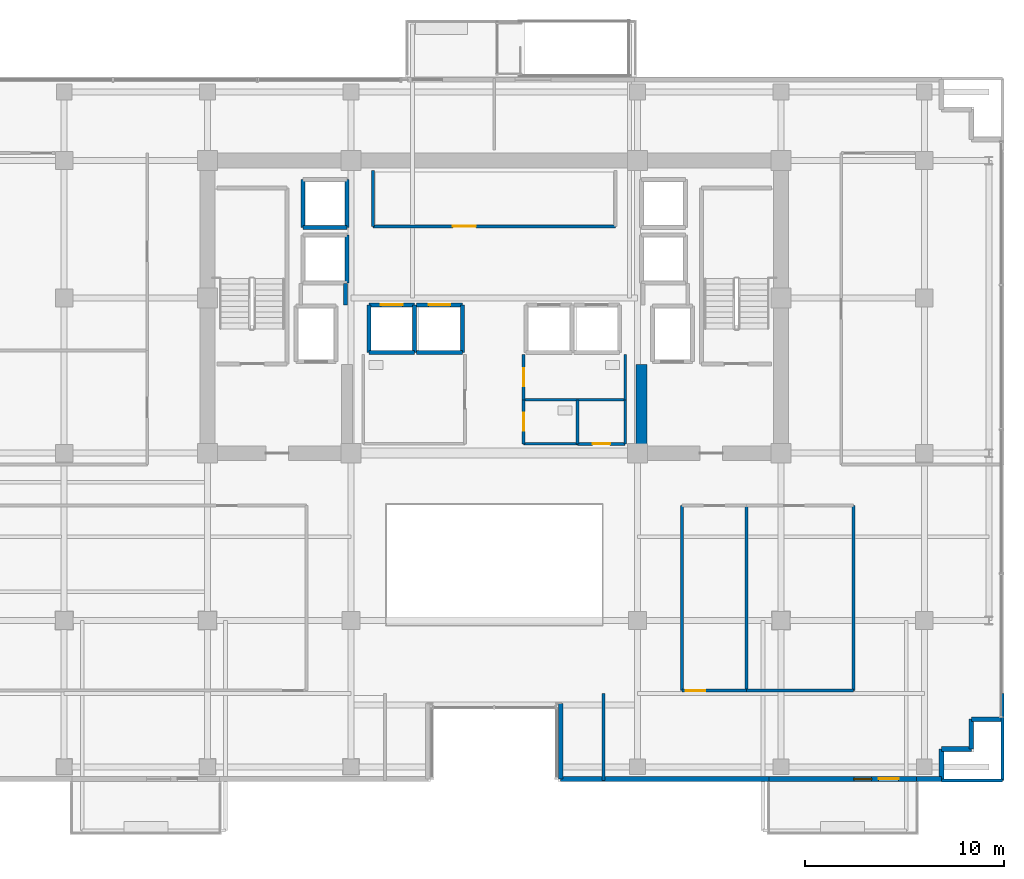
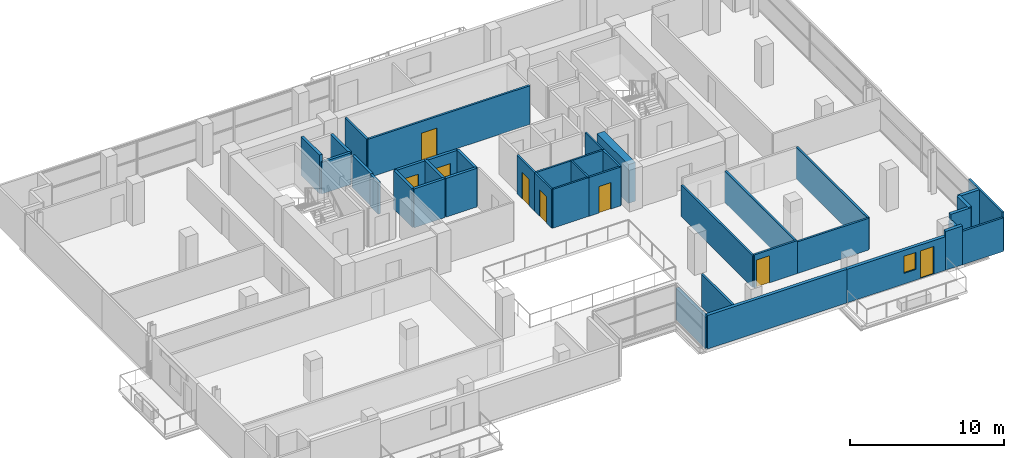
# One storey, part 21 of 28: 39 walls, 8 doors, 1 window, 9 openings.
"""IFC4 building model written with IfcOpenShell, lengths in metres."""

from ifc_helpers import new_model, si_unit, direction, frame, frame_2d, origin, place, context, subcontext, project, spatial, rectangle, extrude, source, transform, mapped, material, layer, layer_set, type_object, element, fill, save


model = new_model("IFC4")

# Units and contexts
model_context = context("Model", 3, precision=1e-05, world=origin(), true_north=direction((0.0, 1.0)))
body_context = subcontext(model_context, "Body", "Model", "MODEL_VIEW")
ifc_project = project(units=[si_unit("LENGTHUNIT", "METRE"), si_unit("AREAUNIT", "SQUARE_METRE"), si_unit("VOLUMEUNIT", "CUBIC_METRE"), si_unit("PLANEANGLEUNIT", "RADIAN"), si_unit("MASSUNIT", "GRAM", prefix="KILO")], contexts=[model_context])

# Site, building, storey
site_placement = place(None, origin())
site = spatial("IfcSite", under=ifc_project, at=site_placement, CompositionType="ELEMENT")
building_placement = place(site_placement, origin())
building = spatial("IfcBuilding", under=site, at=building_placement, Name="Zarnakvel Exchange Tower", CompositionType="ELEMENT")
storey_placement = place(building_placement, frame((0.0, 0.0, 90.10009765625)))
storey = spatial("IfcBuildingStorey", under=building, at=storey_placement, Name="L24", CompositionType="ELEMENT", Elevation=90.10009765625)

# Wall
ifc_material_1 = material(Name="Concrete C60/75", Category="concrete")
ifc_layer_1 = layer(ifc_material_1, 0.550048828125)
ifc_layer_set_1 = layer_set([ifc_layer_1], Name="Concrete C60/75")
wall_type_1 = type_object("IfcWallType", Name="CW-C4", PredefinedType="SHEAR", material=ifc_layer_set_1)
wall_1_placement = place(storey_placement, frame((7.39990234375, -0.824951171875, 0.0), z_axis=(0.0, 0.0, 1.0), x_axis=(0.0, 1.0, 0.0)))
element("IfcWall", 1, at=wall_1_placement, inside=storey, type_object=wall_type_1, Name="L24 Rear Core Shear Wall IE (CW-C4)", PredefinedType="SHEAR", context=body_context, shape_type="SweptSolid", body=[
    extrude(rectangle(XDim=4.074951171875, YDim=0.550048828125, at=frame_2d((2.03759765625, 0.0))), origin(), (0.0, 0.0, 1.0), 3.074951171875),
])

# Wall, openings, door, window
ifc_material_2 = material(Name="Precast concrete C40/50", Category="concrete")
ifc_layer_2 = layer(ifc_material_2, 0.239990234375)
ifc_layer_set_2 = layer_set([ifc_layer_2], Name="Precast concrete C40/50")
wall_type_2 = type_object("IfcWallType", Name="EW-02", PredefinedType="SOLIDWALL", material=ifc_layer_set_2)
wall_2_placement = place(storey_placement, frame((21.199951171875, -17.56005859375, 0.0), z_axis=(0.0, 0.0, 1.0), x_axis=(-1.0, 0.0, 0.0)))
wall_2 = element("IfcWall", 2, at=wall_2_placement, inside=storey, type_object=wall_type_2, Name="L24 Exterior Precast Spandrel Wall EW-BAL-L24-SE (EW-02)", PredefinedType="SOLIDWALL", context=body_context, shape_type="SweptSolid", body=[
    extrude(rectangle(XDim=7.39990234375, YDim=0.239990234375, at=frame_2d((3.699951171875, 0.0))), origin(), (0.0, 0.0, 1.0), 2.664794921875),
])
opening_1_placement = place(wall_2_placement, frame((0.887939453125, 0.0, 0.0)))
opening_1 = element("IfcOpeningElement", 3, at=opening_1_placement, cuts=wall_2, Name="Opening BD-L24-02", PredefinedType="OPENING", context=body_context, shape_type="SweptSolid", body=[
    extrude(rectangle(XDim=1.0, YDim=2.199951171875, at=frame_2d((0.5, 1.10009765625))), frame((0.0, 0.1298828125, 0.0), z_axis=(0.0, -1.0, 0.0), x_axis=(1.0, 0.0, 0.0)), (0.0, 0.0, 1.0), 0.260009765625),
])
opening_2_placement = place(wall_2_placement, frame((2.238037109375, 0.0, 0.85009765625)))
opening_2 = element("IfcOpeningElement", 4, at=opening_2_placement, cuts=wall_2, Name="Opening WN-06", PredefinedType="OPENING", context=body_context, shape_type="SweptSolid", body=[
    extrude(rectangle(XDim=0.89990234375, YDim=1.35009765625, at=frame_2d((0.449951171875, 0.675048828125))), frame((0.0, 0.1298828125, 0.0), z_axis=(0.0, -1.0, 0.0), x_axis=(1.0, 0.0, 0.0)), (0.0, 0.0, 1.0), 0.260009765625),
])
ifc_material_3 = material(Name="Architectural Bronze Anodised Aluminium", Category="aluminium")
door_type_1 = type_object("IfcDoorType", Name="DT-09", OperationType="NOTDEFINED", PredefinedType="DOOR", material=ifc_material_3)
shared_shape_1 = source(origin(), body_context, "Body", "SweptSolid", [
    extrude(rectangle(XDim=1.0, YDim=2.199951171875, at=frame_2d((0.5, 1.10009765625))), frame((0.0, 0.02490234375, 0.0), z_axis=(0.0, -1.0, 0.0), x_axis=(1.0, 0.0, 0.0)), (0.0, 0.0, 1.0), 0.050048828125),
])
door_1_placement = place(opening_1_placement, origin())
door_1 = element("IfcDoor", 5, at=door_1_placement, inside=storey, type_object=door_type_1, Name="L24 Planted Loggia Balcony Door BD-L24-02", OperationType="SINGLE_SWING_LEFT", OverallHeight=2.199951171875, OverallWidth=1.0, PredefinedType="DOOR", context=body_context, shape_type="MappedRepresentation", body=[
    mapped(shared_shape_1, transform((0.0, 0.0, 0.0), x_axis=(1.0, 0.0, 0.0), y_axis=(0.0, 1.0, 0.0), z_axis=(0.0, 0.0, 1.0), scale=1.0)),
])
fill(opening_1, door_1)
ifc_material_4 = material(Name="Double Low-E Laminated Vision Glass", Category="glass")
window_type = type_object("IfcWindowType", Name="WN-06", PartitioningType="SINGLE_PANEL", PredefinedType="WINDOW", material=ifc_material_4)
shared_shape_2 = source(origin(), body_context, "Body", "SweptSolid", [
    extrude(rectangle(XDim=0.89990234375, YDim=1.35009765625, at=frame_2d((0.449951171875, 0.675048828125))), frame((0.0, 0.030029296875, 0.0), z_axis=(0.0, -1.0, 0.0), x_axis=(1.0, 0.0, 0.0)), (0.0, 0.0, 1.0), 0.06005859375),
])
window_placement = place(opening_2_placement, origin())
window = element("IfcWindow", 6, at=window_placement, inside=storey, type_object=window_type, Name="L24 Loggia Daylight Window (WN-06)", OverallHeight=1.35009765625, OverallWidth=0.89990234375, PartitioningType="SINGLE_PANEL", PredefinedType="WINDOW", context=body_context, shape_type="MappedRepresentation", body=[
    mapped(shared_shape_2, transform((0.0, 0.0, 0.0), x_axis=(1.0, 0.0, 0.0), y_axis=(0.0, 1.0, 0.0), z_axis=(0.0, 0.0, 1.0), scale=1.0)),
])
fill(opening_2, window)

# Walls
for number, where, z_axis, x_axis, name in (
    (7, (23.9599609375, -14.56005859375, 0.0), (0.0, 0.0, 1.0), (1.0, 0.0, 0.0), "L24 Exterior Precast Spandrel Wall EWC-L24-13 (EW-02)"),
    (8, (23.9599609375, -16.06005859375, 0.0), (0.0, 0.0, 1.0), (0.0, 1.0, 0.0), "L24 Exterior Precast Spandrel Wall EWC-L24-14 (EW-02)"),
    (9, (22.4599609375, -16.06005859375, 0.0), (0.0, 0.0, 1.0), (1.0, 0.0, 0.0), "L24 Exterior Precast Spandrel Wall EWC-L24-15 (EW-02)"),
):
    element("IfcWall", number, at=place(storey_placement, frame(where, z_axis=z_axis, x_axis=x_axis)), inside=storey, type_object=wall_type_2, Name=name, PredefinedType="SOLIDWALL", context=body_context, shape_type="SweptSolid", body=[
        extrude(rectangle(XDim=1.5, YDim=0.239990234375, at=frame_2d((0.75, 0.0))), origin(), (0.0, 0.0, 1.0), 3.074951171875),
    ])
wall_3_placement = place(storey_placement, frame((22.4599609375, -17.56005859375, 0.0), z_axis=(0.0, 0.0, 1.0), x_axis=(0.0, 1.0, 0.0)))
element("IfcWall", 10, at=wall_3_placement, inside=storey, type_object=wall_type_2, Name="L24 Exterior Precast Spandrel Wall EWC-L24-16 (EW-02)", PredefinedType="SOLIDWALL", context=body_context, shape_type="SweptSolid", body=[
    extrude(rectangle(XDim=1.5, YDim=0.239990234375, at=frame_2d((0.75, 0.0))), origin(), (0.0, 0.0, 1.0), 2.56494140625),
])
wall_4_placement = place(storey_placement, frame((21.199951171875, -17.56005859375, 0.0), z_axis=(0.0, 0.0, 1.0), x_axis=(1.0, 0.0, 0.0)))
element("IfcWall", 11, at=wall_4_placement, inside=storey, type_object=wall_type_2, Name="L24 Exterior Precast Spandrel Wall EWC-L24-17 (EW-02)", PredefinedType="SOLIDWALL", context=body_context, shape_type="SweptSolid", body=[
    extrude(rectangle(XDim=1.260009765625, YDim=0.239990234375, at=frame_2d((0.6298828125, 0.0))), origin(), (0.0, 0.0, 1.0), 3.074951171875),
])
wall_5_placement = place(storey_placement, frame((3.340087890625, -17.56005859375, 0.0), z_axis=(0.0, 0.0, 1.0), x_axis=(1.0, 0.0, 0.0)))
element("IfcWall", 12, at=wall_5_placement, inside=storey, type_object=wall_type_2, Name="L24 Exterior Precast Spandrel Wall EWC-L24-18 (EW-02)", PredefinedType="SOLIDWALL", context=body_context, shape_type="SweptSolid", body=[
    extrude(rectangle(XDim=10.4599609375, YDim=0.239990234375, at=frame_2d((5.22998046875, 0.0))), origin(), (0.0, 0.0, 1.0), 2.664794921875),
])
wall_6_placement = place(storey_placement, frame((3.340087890625, -13.760009765625, 0.0), z_axis=(0.0, 0.0, 1.0), x_axis=(0.0, -1.0, 0.0)))
element("IfcWall", 13, at=wall_6_placement, inside=storey, type_object=wall_type_2, Name="L24 Exterior Precast Spandrel Wall EWC-L24-19 (EW-02)", PredefinedType="SOLIDWALL", context=body_context, shape_type="SweptSolid", body=[
    extrude(rectangle(XDim=3.800048828125, YDim=0.239990234375, at=frame_2d((1.89990234375, 0.0))), origin(), (0.0, 0.0, 1.0), 2.514892578125),
])

# Wall, opening, door
ifc_material_5 = material(Name="Fire-Rated Gypsum Stud Partition", Category="gypsum")
ifc_layer_3 = layer(ifc_material_5, 0.14990234375)
ifc_layer_set_3 = layer_set([ifc_layer_3], Name="Fire-Rated Gypsum Stud Partition")
wall_type_3 = type_object("IfcWallType", Name="PT-01", PredefinedType="PARTITIONING", material=ifc_layer_set_3)
wall_7_placement = place(storey_placement, frame((6.080078125, 10.199951171875, 0.0), z_axis=(0.0, 0.0, 1.0), x_axis=(-1.0, 0.0, 0.0)))
wall_7 = element("IfcWall", 14, at=wall_7_placement, inside=storey, type_object=wall_type_3, Name="L24 Partition Wall PWALL-L24-011 (PT-01)", PredefinedType="PARTITIONING", context=body_context, shape_type="SweptSolid", body=[
    extrude(rectangle(XDim=12.16015625, YDim=0.14990234375, at=frame_2d((6.080078125, 0.0))), origin(), (0.0, 0.0, 1.0), 3.074951171875),
])
opening_3_placement = place(wall_7_placement, frame((7.0048828125, 0.0, 0.0)))
opening_3 = element("IfcOpeningElement", 15, at=opening_3_placement, cuts=wall_7, Name="Opening D-L24-05", PredefinedType="OPENING", context=body_context, shape_type="SweptSolid", body=[
    extrude(rectangle(XDim=1.14990234375, YDim=2.14990234375, at=frame_2d((0.574951171875, 1.074951171875))), frame((0.0, 0.0849609375, 0.0), z_axis=(0.0, -1.0, 0.0), x_axis=(1.0, 0.0, 0.0)), (0.0, 0.0, 1.0), 0.169921875),
])
ifc_material_6 = material(Name="Painted Galvanised Steel S355", Category="steel")
door_type_2 = type_object("IfcDoorType", Name="DT-04", OperationType="NOTDEFINED", PredefinedType="DOOR", material=ifc_material_6)
shared_shape_3 = source(origin(), body_context, "Body", "SweptSolid", [
    extrude(rectangle(XDim=1.14990234375, YDim=2.14990234375, at=frame_2d((0.574951171875, 1.074951171875))), frame((0.0, 0.02490234375, 0.0), z_axis=(0.0, -1.0, 0.0), x_axis=(1.0, 0.0, 0.0)), (0.0, 0.0, 1.0), 0.050048828125),
])
door_2_placement = place(opening_3_placement, origin())
door_2 = element("IfcDoor", 16, at=door_2_placement, inside=storey, type_object=door_type_2, Name="L24 Market Data Archive Suite Door D-L24-05", OperationType="SINGLE_SWING_LEFT", OverallHeight=2.14990234375, OverallWidth=1.14990234375, PredefinedType="DOOR", context=body_context, shape_type="MappedRepresentation", body=[
    mapped(shared_shape_3, transform((0.0, 0.0, 0.0), x_axis=(1.0, 0.0, 0.0), y_axis=(0.0, 1.0, 0.0), z_axis=(0.0, 0.0, 1.0), scale=1.0)),
])
fill(opening_3, door_2)

# Wall
wall_8_placement = place(storey_placement, frame((-6.080078125, 10.199951171875, 0.0), z_axis=(0.0, 0.0, 1.0), x_axis=(0.0, 1.0, 0.0)))
element("IfcWall", 17, at=wall_8_placement, inside=storey, type_object=wall_type_3, Name="L24 Partition Wall PWALL-L24-012 (PT-01)", PredefinedType="PARTITIONING", context=body_context, shape_type="SweptSolid", body=[
    extrude(rectangle(XDim=2.800048828125, YDim=0.14990234375, at=frame_2d((1.39990234375, 0.0))), origin(), (0.0, 0.0, 1.0), 3.074951171875),
])

# Wall, opening, door
wall_9_placement = place(storey_placement, frame((6.580078125, -0.72998046875, 0.0), z_axis=(0.0, 0.0, 1.0), x_axis=(-1.0, 0.0, 0.0)))
wall_9 = element("IfcWall", 18, at=wall_9_placement, inside=storey, type_object=wall_type_3, Name="L24 Partition Wall PWALL-L24-023 (PT-01)", PredefinedType="PARTITIONING", context=body_context, shape_type="SweptSolid", body=[
    extrude(rectangle(XDim=2.400146484375, YDim=0.14990234375, at=frame_2d((1.2001953125, 0.0))), origin(), (0.0, 0.0, 1.0), 3.074951171875),
])
opening_4_placement = place(wall_9_placement, frame((0.760009765625, 0.0, 0.0)))
opening_4 = element("IfcOpeningElement", 19, at=opening_4_placement, cuts=wall_9, Name="Opening D-L24-09", PredefinedType="OPENING", context=body_context, shape_type="SweptSolid", body=[
    extrude(rectangle(XDim=0.8798828125, YDim=2.10009765625, at=frame_2d((0.43994140625, 1.050048828125))), frame((0.0, 0.0849609375, 0.0), z_axis=(0.0, -1.0, 0.0), x_axis=(1.0, 0.0, 0.0)), (0.0, 0.0, 1.0), 0.169921875),
])
door_type_3 = type_object("IfcDoorType", Name="DT-08", OperationType="NOTDEFINED", PredefinedType="DOOR", material=ifc_material_6)
shared_shape_4 = source(origin(), body_context, "Body", "SweptSolid", [
    extrude(rectangle(XDim=0.8798828125, YDim=2.10009765625, at=frame_2d((0.43994140625, 1.050048828125))), frame((0.0, 0.02490234375, 0.0), z_axis=(0.0, -1.0, 0.0), x_axis=(1.0, 0.0, 0.0)), (0.0, 0.0, 1.0), 0.050048828125),
])
door_3_placement = place(opening_4_placement, origin())
door_3 = element("IfcDoor", 20, at=door_3_placement, inside=storey, type_object=door_type_3, Name="L24 Cleaners Store Door D-L24-09", OperationType="SINGLE_SWING_LEFT", OverallHeight=2.10009765625, OverallWidth=0.8798828125, PredefinedType="DOOR", context=body_context, shape_type="MappedRepresentation", body=[
    mapped(shared_shape_4, transform((0.0, 0.0, 0.0), x_axis=(1.0, 0.0, 0.0), y_axis=(0.0, 1.0, 0.0), z_axis=(0.0, 0.0, 1.0), scale=1.0)),
])
fill(opening_4, door_3)

# Wall
wall_10_placement = place(storey_placement, frame((6.580078125, 1.47998046875, 0.0), z_axis=(0.0, 0.0, 1.0), x_axis=(0.0, -1.0, 0.0)))
element("IfcWall", 21, at=wall_10_placement, inside=storey, type_object=wall_type_3, Name="L24 Partition Wall PWALL-L24-024 (PT-01)", PredefinedType="PARTITIONING", context=body_context, shape_type="SweptSolid", body=[
    extrude(rectangle(XDim=2.2099609375, YDim=0.14990234375, at=frame_2d((1.10498046875, 0.0))), origin(), (0.0, 0.0, 1.0), 3.074951171875),
])

# Wall, opening, door
wall_11_placement = place(storey_placement, frame((12.67529296875, -13.1201171875, 0.0), z_axis=(0.0, 0.0, 1.0), x_axis=(-1.0, 0.0, 0.0)))
wall_11 = element("IfcWall", 22, at=wall_11_placement, inside=storey, type_object=wall_type_3, Name="L24 Partition Wall PWALL-L24-032 (PT-01)", PredefinedType="PARTITIONING", context=body_context, shape_type="SweptSolid", body=[
    extrude(rectangle(XDim=3.245361328125, YDim=0.14990234375, at=frame_2d((1.62255859375, 0.0))), origin(), (0.0, 0.0, 1.0), 2.614990234375),
])
opening_5_placement = place(wall_11_placement, frame((2.08544921875, 0.0, 0.0)))
opening_5 = element("IfcOpeningElement", 23, at=opening_5_placement, cuts=wall_11, Name="Opening D-L24-14", PredefinedType="OPENING", context=body_context, shape_type="SweptSolid", body=[
    extrude(rectangle(XDim=0.97998046875, YDim=2.14990234375, at=frame_2d((0.489990234375, 1.074951171875))), frame((0.0, 0.0849609375, 0.0), z_axis=(0.0, -1.0, 0.0), x_axis=(1.0, 0.0, 0.0)), (0.0, 0.0, 1.0), 0.169921875),
])
ifc_material_7 = material(Name="Timber Acoustic Veneer", Category="wood")
door_type_4 = type_object("IfcDoorType", Name="DT-05", OperationType="NOTDEFINED", PredefinedType="DOOR", material=ifc_material_7)
shared_shape_5 = source(origin(), body_context, "Body", "SweptSolid", [
    extrude(rectangle(XDim=0.97998046875, YDim=2.14990234375, at=frame_2d((0.489990234375, 1.074951171875))), frame((0.0, 0.02490234375, 0.0), z_axis=(0.0, -1.0, 0.0), x_axis=(1.0, 0.0, 0.0)), (0.0, 0.0, 1.0), 0.050048828125),
])
door_4_placement = place(opening_5_placement, origin())
door_4 = element("IfcDoor", 24, at=door_4_placement, inside=storey, type_object=door_type_4, Name="L24 Brokerage Workspace Door D-L24-14", OperationType="SINGLE_SWING_RIGHT", OverallHeight=2.14990234375, OverallWidth=0.97998046875, PredefinedType="DOOR", context=body_context, shape_type="MappedRepresentation", body=[
    mapped(shared_shape_5, transform((0.0, 0.0, 0.0), x_axis=(1.0, 0.0, 0.0), y_axis=(0.0, 1.0, 0.0), z_axis=(0.0, 0.0, 1.0), scale=1.0)),
])
fill(opening_5, door_4)

# Walls
for number, where, z_axis, x_axis, name in (
    (25, (9.429931640625, -13.1201171875, 0.0), (0.0, 0.0, 1.0), (0.0, 1.0, 0.0), "L24 Partition Wall PWALL-L24-034 (PT-01)"),
    (26, (12.67529296875, -3.830078125, 0.0), (0.0, 0.0, 1.0), (0.0, -1.0, 0.0), "L24 Partition Wall PWALL-L24-035 (PT-01)"),
):
    element("IfcWall", number, at=place(storey_placement, frame(where, z_axis=z_axis, x_axis=x_axis)), inside=storey, type_object=wall_type_3, Name=name, PredefinedType="PARTITIONING", context=body_context, shape_type="SweptSolid", body=[
        extrude(rectangle(XDim=9.2900390625, YDim=0.14990234375, at=frame_2d((4.64501953125, 0.0))), origin(), (0.0, 0.0, 1.0), 2.514892578125),
    ])
wall_12_placement = place(storey_placement, frame((18.0419921875, -13.1201171875, 0.0), z_axis=(0.0, 0.0, 1.0), x_axis=(-1.0, 0.0, 0.0)))
element("IfcWall", 27, at=wall_12_placement, inside=storey, type_object=wall_type_3, Name="L24 Partition Wall PWALL-L24-036 (PT-01)", PredefinedType="PARTITIONING", context=body_context, shape_type="SweptSolid", body=[
    extrude(rectangle(XDim=5.36669921875, YDim=0.14990234375, at=frame_2d((2.683349609375, 0.0))), origin(), (0.0, 0.0, 1.0), 2.514892578125),
])
wall_13_placement = place(storey_placement, frame((18.0419921875, -3.830078125, 0.0), z_axis=(0.0, 0.0, 1.0), x_axis=(0.0, -1.0, 0.0)))
element("IfcWall", 28, at=wall_13_placement, inside=storey, type_object=wall_type_3, Name="L24 Partition Wall PWALL-L24-038 (PT-01)", PredefinedType="PARTITIONING", context=body_context, shape_type="SweptSolid", body=[
    extrude(rectangle(XDim=9.2900390625, YDim=0.14990234375, at=frame_2d((4.64501953125, 0.0))), origin(), (0.0, 0.0, 1.0), 2.514892578125),
])
wall_14_placement = place(storey_placement, frame((25.530029296875, -17.6298828125, 0.0), z_axis=(0.0, 0.0, 1.0), x_axis=(-1.0, 0.0, 0.0)))
element("IfcWall", 29, at=wall_14_placement, inside=storey, type_object=wall_type_3, Name="L24 Partition Wall PWALL-L24-039 (PT-01)", PredefinedType="PARTITIONING", context=body_context, shape_type="SweptSolid", body=[
    extrude(rectangle(XDim=3.070068359375, YDim=0.14990234375, at=frame_2d((1.53515625, 0.0))), origin(), (0.0, 0.0, 1.0), 2.664794921875),
])
wall_15_placement = place(storey_placement, frame((5.47998046875, -17.6298828125, 0.0), z_axis=(0.0, 0.0, 1.0), x_axis=(0.0, 1.0, 0.0)))
element("IfcWall", 30, at=wall_15_placement, inside=storey, type_object=wall_type_3, Name="L24 Partition Wall PWALL-L24-040 (PT-01)", PredefinedType="PARTITIONING", context=body_context, shape_type="SweptSolid", body=[
    extrude(rectangle(XDim=4.349853515625, YDim=0.14990234375, at=frame_2d((2.1748046875, 0.0))), origin(), (0.0, 0.0, 1.0), 2.56494140625),
])
wall_16_placement = place(storey_placement, frame((25.530029296875, -13.280029296875, 0.0), z_axis=(0.0, 0.0, 1.0), x_axis=(0.0, -1.0, 0.0)))
element("IfcWall", 31, at=wall_16_placement, inside=storey, type_object=wall_type_3, Name="L24 Partition Wall PWALL-L24-041 (PT-01)", PredefinedType="PARTITIONING", context=body_context, shape_type="SweptSolid", body=[
    extrude(rectangle(XDim=4.349853515625, YDim=0.14990234375, at=frame_2d((2.1748046875, 0.0))), origin(), (0.0, 0.0, 1.0), 3.074951171875),
])
ifc_layer_4 = layer(ifc_material_5, 0.179931640625)
ifc_layer_set_4 = layer_set([ifc_layer_4], Name="Fire-Rated Gypsum Stud Partition")
wall_type_4 = type_object("IfcWallType", Name="PT-02", PredefinedType="PARTITIONING", material=ifc_layer_set_4)
wall_17_placement = place(storey_placement, frame((-7.469970703125, 7.330078125, 0.0), z_axis=(0.0, 0.0, 1.0), x_axis=(0.0, -1.0, 0.0)))
element("IfcWall", 32, at=wall_17_placement, inside=storey, type_object=wall_type_4, Name="L24 Partition Wall PWALL-L24-008 (PT-02)", PredefinedType="PARTITIONING", context=body_context, shape_type="SweptSolid", body=[
    extrude(rectangle(XDim=1.090087890625, YDim=0.179931640625, at=frame_2d((0.544921875, 0.0))), origin(), (0.0, 0.0, 1.0), 2.514892578125),
])
ifc_material_8 = material(Name="Moisture-Resistant Tile-Faced Partition", Category="gypsum")
ifc_layer_5 = layer(ifc_material_8, 0.135009765625)
ifc_layer_set_5 = layer_set([ifc_layer_5], Name="Moisture-Resistant Tile-Faced Partition")
wall_type_5 = type_object("IfcWallType", Name="PT-03", PredefinedType="PARTITIONING", material=ifc_layer_set_5)
wall_18_placement = place(storey_placement, frame((6.580078125, 1.47998046875, 0.0), z_axis=(0.0, 0.0, 1.0), x_axis=(-1.0, 0.0, 0.0)))
element("IfcWall", 33, at=wall_18_placement, inside=storey, type_object=wall_type_5, Name="L24 Partition Wall PWALL-L24-017 (PT-03)", PredefinedType="PARTITIONING", context=body_context, shape_type="SweptSolid", body=[
    extrude(rectangle(XDim=5.110107421875, YDim=0.135009765625, at=frame_2d((2.55517578125, 0.0))), origin(), (0.0, 0.0, 1.0), 3.074951171875),
])

# Wall, opening, door
wall_19_placement = place(storey_placement, frame((1.469970703125, 1.47998046875, 0.0), z_axis=(0.0, 0.0, 1.0), x_axis=(0.0, 1.0, 0.0)))
wall_19 = element("IfcWall", 34, at=wall_19_placement, inside=storey, type_object=wall_type_5, Name="L24 Partition Wall PWALL-L24-018 (PT-03)", PredefinedType="PARTITIONING", context=body_context, shape_type="SweptSolid", body=[
    extrude(rectangle(XDim=2.280029296875, YDim=0.135009765625, at=frame_2d((1.14013671875, 0.0))), origin(), (0.0, 0.0, 1.0), 3.074951171875),
])
opening_6_placement = place(wall_19_placement, frame((0.679931640625, 0.0, 0.0)))
opening_6 = element("IfcOpeningElement", 35, at=opening_6_placement, cuts=wall_19, Name="Opening D-L24-07", PredefinedType="OPENING", context=body_context, shape_type="SweptSolid", body=[
    extrude(rectangle(XDim=0.919921875, YDim=2.10009765625, at=frame_2d((0.4599609375, 1.050048828125))), frame((0.0, 0.077392578125, 0.0), z_axis=(0.0, -1.0, 0.0), x_axis=(1.0, 0.0, 0.0)), (0.0, 0.0, 1.0), 0.155029296875),
])
ifc_material_9 = material(Name="Moisture-Resistant Laminate Timber", Category="wood")
door_type_5 = type_object("IfcDoorType", Name="DT-07", OperationType="NOTDEFINED", PredefinedType="DOOR", material=ifc_material_9)
shared_shape_6 = source(origin(), body_context, "Body", "SweptSolid", [
    extrude(rectangle(XDim=0.919921875, YDim=2.10009765625, at=frame_2d((0.4599609375, 1.050048828125))), frame((0.0, 0.02490234375, 0.0), z_axis=(0.0, -1.0, 0.0), x_axis=(1.0, 0.0, 0.0)), (0.0, 0.0, 1.0), 0.050048828125),
])
door_5_placement = place(opening_6_placement, origin())
door_5 = element("IfcDoor", 36, at=door_5_placement, inside=storey, type_object=door_type_5, Name="L24 Female Toilet Door D-L24-07", OperationType="SINGLE_SWING_LEFT", OverallHeight=2.10009765625, OverallWidth=0.919921875, PredefinedType="DOOR", context=body_context, shape_type="MappedRepresentation", body=[
    mapped(shared_shape_6, transform((0.0, 0.0, 0.0), x_axis=(1.0, 0.0, 0.0), y_axis=(0.0, 1.0, 0.0), z_axis=(0.0, 0.0, 1.0), scale=1.0)),
])
fill(opening_6, door_5)

# Walls
wall_20_placement = place(storey_placement, frame((6.580078125, 3.760009765625, 0.0), z_axis=(0.0, 0.0, 1.0), x_axis=(0.0, -1.0, 0.0)))
element("IfcWall", 37, at=wall_20_placement, inside=storey, type_object=wall_type_5, Name="L24 Partition Wall PWALL-L24-019 (PT-03)", PredefinedType="PARTITIONING", context=body_context, shape_type="SweptSolid", body=[
    extrude(rectangle(XDim=2.280029296875, YDim=0.135009765625, at=frame_2d((1.14013671875, 0.0))), origin(), (0.0, 0.0, 1.0), 3.074951171875),
])
wall_21_placement = place(storey_placement, frame((4.179931640625, -0.72998046875, 0.0), z_axis=(0.0, 0.0, 1.0), x_axis=(-1.0, 0.0, 0.0)))
element("IfcWall", 38, at=wall_21_placement, inside=storey, type_object=wall_type_5, Name="L24 Partition Wall PWALL-L24-020 (PT-03)", PredefinedType="PARTITIONING", context=body_context, shape_type="SweptSolid", body=[
    extrude(rectangle(XDim=2.7099609375, YDim=0.135009765625, at=frame_2d((1.35498046875, 0.0))), origin(), (0.0, 0.0, 1.0), 3.074951171875),
])

# Wall, opening, door
wall_22_placement = place(storey_placement, frame((1.469970703125, -0.72998046875, 0.0), z_axis=(0.0, 0.0, 1.0), x_axis=(0.0, 1.0, 0.0)))
wall_22 = element("IfcWall", 39, at=wall_22_placement, inside=storey, type_object=wall_type_5, Name="L24 Partition Wall PWALL-L24-021 (PT-03)", PredefinedType="PARTITIONING", context=body_context, shape_type="SweptSolid", body=[
    extrude(rectangle(XDim=2.2099609375, YDim=0.135009765625, at=frame_2d((1.10498046875, 0.0))), origin(), (0.0, 0.0, 1.0), 3.074951171875),
])
opening_7_placement = place(wall_22_placement, frame((0.64990234375, 0.0, 0.0)))
opening_7 = element("IfcOpeningElement", 40, at=opening_7_placement, cuts=wall_22, Name="Opening D-L24-08", PredefinedType="OPENING", context=body_context, shape_type="SweptSolid", body=[
    extrude(rectangle(XDim=0.919921875, YDim=2.10009765625, at=frame_2d((0.4599609375, 1.050048828125))), frame((0.0, 0.077392578125, 0.0), z_axis=(0.0, -1.0, 0.0), x_axis=(1.0, 0.0, 0.0)), (0.0, 0.0, 1.0), 0.155029296875),
])
door_6_placement = place(opening_7_placement, origin())
door_6 = element("IfcDoor", 41, at=door_6_placement, inside=storey, type_object=door_type_5, Name="L24 Accessible Toilet Door D-L24-08", OperationType="SINGLE_SWING_RIGHT", OverallHeight=2.10009765625, OverallWidth=0.919921875, PredefinedType="DOOR", context=body_context, shape_type="MappedRepresentation", body=[
    mapped(shared_shape_6, transform((0.0, 0.0, 0.0), x_axis=(1.0, 0.0, 0.0), y_axis=(0.0, 1.0, 0.0), z_axis=(0.0, 0.0, 1.0), scale=1.0)),
])
fill(opening_7, door_6)

# Walls
wall_23_placement = place(storey_placement, frame((4.179931640625, 1.47998046875, 0.0), z_axis=(0.0, 0.0, 1.0), x_axis=(0.0, -1.0, 0.0)))
element("IfcWall", 42, at=wall_23_placement, inside=storey, type_object=wall_type_5, Name="L24 Partition Wall PWALL-L24-022 (PT-03)", PredefinedType="PARTITIONING", context=body_context, shape_type="SweptSolid", body=[
    extrude(rectangle(XDim=2.2099609375, YDim=0.135009765625, at=frame_2d((1.10498046875, 0.0))), origin(), (0.0, 0.0, 1.0), 3.074951171875),
])
ifc_material_10 = material(Name="Concrete C40/50", Category="concrete")
ifc_layer_6 = layer(ifc_material_10, 0.199951171875)
ifc_layer_set_6 = layer_set([ifc_layer_6], Name="Concrete C40/50")
wall_type_6 = type_object("IfcWallType", Name="SW-01", PredefinedType="SOLIDWALL", material=ifc_layer_set_6)
wall_24_placement = place(storey_placement, frame((-4.0, 3.85009765625, 0.0), z_axis=(0.0, 0.0, 1.0), x_axis=(-1.0, 0.0, 0.0)))
element("IfcWall", 43, at=wall_24_placement, inside=storey, type_object=wall_type_6, Name="L24 PL-05 Hoistway Wall South", PredefinedType="SOLIDWALL", context=body_context, shape_type="SweptSolid", body=[
    extrude(rectangle(XDim=2.300048828125, YDim=0.199951171875, at=frame_2d((1.14990234375, 0.0))), origin(), (0.0, 0.0, 1.0), 3.074951171875),
])

# Wall, opening, door
wall_25_placement = place(storey_placement, frame((-6.300048828125, 6.25, 0.0), z_axis=(0.0, 0.0, 1.0), x_axis=(1.0, 0.0, 0.0)))
wall_25 = element("IfcWall", 44, at=wall_25_placement, inside=storey, type_object=wall_type_6, Name="L24 PL-05 Hoistway Wall North", PredefinedType="SOLIDWALL", context=body_context, shape_type="SweptSolid", body=[
    extrude(rectangle(XDim=2.300048828125, YDim=0.199951171875, at=frame_2d((1.14990234375, 0.0))), origin(), (0.0, 0.0, 1.0), 3.074951171875),
])
opening_8_placement = place(wall_25_placement, frame((0.60009765625, 0.0, 0.0)))
opening_8 = element("IfcOpeningElement", 45, at=opening_8_placement, cuts=wall_25, Name="Opening LD-PL-05-L24", PredefinedType="OPENING", context=body_context, shape_type="SweptSolid", body=[
    extrude(rectangle(XDim=1.10009765625, YDim=2.199951171875, at=frame_2d((0.550048828125, 1.10009765625))), frame((0.0, 0.10986328125, 0.0), z_axis=(0.0, -1.0, 0.0), x_axis=(1.0, 0.0, 0.0)), (0.0, 0.0, 1.0), 0.219970703125),
])
door_type_6 = type_object("IfcDoorType", Name="LDT-02", OperationType="NOTDEFINED", PredefinedType="DOOR", material=ifc_material_3)
shared_shape_7 = source(origin(), body_context, "Body", "SweptSolid", [
    extrude(rectangle(XDim=1.10009765625, YDim=2.199951171875, at=frame_2d((0.550048828125, 1.10009765625))), frame((0.0, 0.02490234375, 0.0), z_axis=(0.0, -1.0, 0.0), x_axis=(1.0, 0.0, 0.0)), (0.0, 0.0, 1.0), 0.050048828125),
])
door_7_placement = place(opening_8_placement, origin())
door_7 = element("IfcDoor", 46, at=door_7_placement, inside=storey, type_object=door_type_6, Name="L24 PL-05 Lift Landing Door LD-PL-05-L24", OperationType="DOUBLE_DOOR_SLIDING", OverallHeight=2.199951171875, OverallWidth=1.10009765625, PredefinedType="DOOR", context=body_context, shape_type="MappedRepresentation", body=[
    mapped(shared_shape_7, transform((0.0, 0.0, 0.0), x_axis=(1.0, 0.0, 0.0), y_axis=(0.0, 1.0, 0.0), z_axis=(0.0, 0.0, 1.0), scale=1.0)),
])
fill(opening_8, door_7)

# Walls
for number, where, z_axis, x_axis, name in (
    (47, (-6.300048828125, 3.85009765625, 0.0), (0.0, 0.0, 1.0), (0.0, 1.0, 0.0), "L24 PL-05 Hoistway Wall West"),
    (48, (-4.0, 6.25, 0.0), (0.0, 0.0, 1.0), (0.0, -1.0, 0.0), "L24 PL-05 Hoistway Wall East"),
):
    element("IfcWall", number, at=place(storey_placement, frame(where, z_axis=z_axis, x_axis=x_axis)), inside=storey, type_object=wall_type_6, Name=name, PredefinedType="SOLIDWALL", context=body_context, shape_type="SweptSolid", body=[
        extrude(rectangle(XDim=2.39990234375, YDim=0.199951171875, at=frame_2d((1.199951171875, 0.0))), origin(), (0.0, 0.0, 1.0), 3.074951171875),
    ])
wall_26_placement = place(storey_placement, frame((-1.60009765625, 3.85009765625, 0.0), z_axis=(0.0, 0.0, 1.0), x_axis=(-1.0, 0.0, 0.0)))
element("IfcWall", 49, at=wall_26_placement, inside=storey, type_object=wall_type_6, Name="L24 PL-06 Hoistway Wall South", PredefinedType="SOLIDWALL", context=body_context, shape_type="SweptSolid", body=[
    extrude(rectangle(XDim=2.2998046875, YDim=0.199951171875, at=frame_2d((1.14990234375, 0.0))), origin(), (0.0, 0.0, 1.0), 3.074951171875),
])

# Wall, opening, door
wall_27_placement = place(storey_placement, frame((-3.89990234375, 6.25, 0.0), z_axis=(0.0, 0.0, 1.0), x_axis=(1.0, 0.0, 0.0)))
wall_27 = element("IfcWall", 50, at=wall_27_placement, inside=storey, type_object=wall_type_6, Name="L24 PL-06 Hoistway Wall North", PredefinedType="SOLIDWALL", context=body_context, shape_type="SweptSolid", body=[
    extrude(rectangle(XDim=2.2998046875, YDim=0.199951171875, at=frame_2d((1.14990234375, 0.0))), origin(), (0.0, 0.0, 1.0), 3.074951171875),
])
opening_9_placement = place(wall_27_placement, frame((0.60009765625, 0.0, 0.0)))
opening_9 = element("IfcOpeningElement", 51, at=opening_9_placement, cuts=wall_27, Name="Opening LD-PL-06-L24", PredefinedType="OPENING", context=body_context, shape_type="SweptSolid", body=[
    extrude(rectangle(XDim=1.10009765625, YDim=2.199951171875, at=frame_2d((0.550048828125, 1.10009765625))), frame((0.0, 0.10986328125, 0.0), z_axis=(0.0, -1.0, 0.0), x_axis=(1.0, 0.0, 0.0)), (0.0, 0.0, 1.0), 0.219970703125),
])
door_8_placement = place(opening_9_placement, origin())
door_8 = element("IfcDoor", 52, at=door_8_placement, inside=storey, type_object=door_type_6, Name="L24 PL-06 Lift Landing Door LD-PL-06-L24", OperationType="DOUBLE_DOOR_SLIDING", OverallHeight=2.199951171875, OverallWidth=1.10009765625, PredefinedType="DOOR", context=body_context, shape_type="MappedRepresentation", body=[
    mapped(shared_shape_7, transform((0.0, 0.0, 0.0), x_axis=(1.0, 0.0, 0.0), y_axis=(0.0, 1.0, 0.0), z_axis=(0.0, 0.0, 1.0), scale=1.0)),
])
fill(opening_9, door_8)

# Walls
wall_28_placement = place(storey_placement, frame((-1.60009765625, 6.25, 0.0), z_axis=(0.0, 0.0, 1.0), x_axis=(0.0, -1.0, 0.0)))
element("IfcWall", 53, at=wall_28_placement, inside=storey, type_object=wall_type_6, Name="L24 PL-06 Hoistway Wall East", PredefinedType="SOLIDWALL", context=body_context, shape_type="SweptSolid", body=[
    extrude(rectangle(XDim=2.39990234375, YDim=0.199951171875, at=frame_2d((1.199951171875, 0.0))), origin(), (0.0, 0.0, 1.0), 3.074951171875),
])
wall_29_placement = place(storey_placement, frame((-7.39990234375, 9.75, 0.0), z_axis=(0.0, 0.0, 1.0), x_axis=(0.0, -1.0, 0.0)))
element("IfcWall", 54, at=wall_29_placement, inside=storey, type_object=wall_type_6, Name="L24 PL-09 Hoistway Wall East", PredefinedType="SOLIDWALL", context=body_context, shape_type="SweptSolid", body=[
    extrude(rectangle(XDim=2.39990234375, YDim=0.199951171875, at=frame_2d((1.199951171875, 0.0))), origin(), (0.0, 0.0, 1.0), 2.514892578125),
])
wall_30_placement = place(storey_placement, frame((-7.39990234375, 10.14990234375, 0.0), z_axis=(0.0, 0.0, 1.0), x_axis=(-1.0, 0.0, 0.0)))
element("IfcWall", 55, at=wall_30_placement, inside=storey, type_object=wall_type_6, Name="L24 PL-10 Hoistway Wall South", PredefinedType="SOLIDWALL", context=body_context, shape_type="SweptSolid", body=[
    extrude(rectangle(XDim=2.2001953125, YDim=0.199951171875, at=frame_2d((1.10009765625, 0.0))), origin(), (0.0, 0.0, 1.0), 2.514892578125),
])
wall_31_placement = place(storey_placement, frame((-9.60009765625, 10.14990234375, 0.0), z_axis=(0.0, 0.0, 1.0), x_axis=(0.0, 1.0, 0.0)))
element("IfcWall", 56, at=wall_31_placement, inside=storey, type_object=wall_type_6, Name="L24 PL-10 Hoistway Wall West", PredefinedType="SOLIDWALL", context=body_context, shape_type="SweptSolid", body=[
    extrude(rectangle(XDim=2.400146484375, YDim=0.199951171875, at=frame_2d((1.2001953125, 0.0))), origin(), (0.0, 0.0, 1.0), 3.074951171875),
])
wall_32_placement = place(storey_placement, frame((-7.39990234375, 12.550048828125, 0.0), z_axis=(0.0, 0.0, 1.0), x_axis=(0.0, -1.0, 0.0)))
element("IfcWall", 57, at=wall_32_placement, inside=storey, type_object=wall_type_6, Name="L24 PL-10 Hoistway Wall East", PredefinedType="SOLIDWALL", context=body_context, shape_type="SweptSolid", body=[
    extrude(rectangle(XDim=2.400146484375, YDim=0.199951171875, at=frame_2d((1.2001953125, 0.0))), origin(), (0.0, 0.0, 1.0), 2.514892578125),
])

save(model, "model.ifc")
